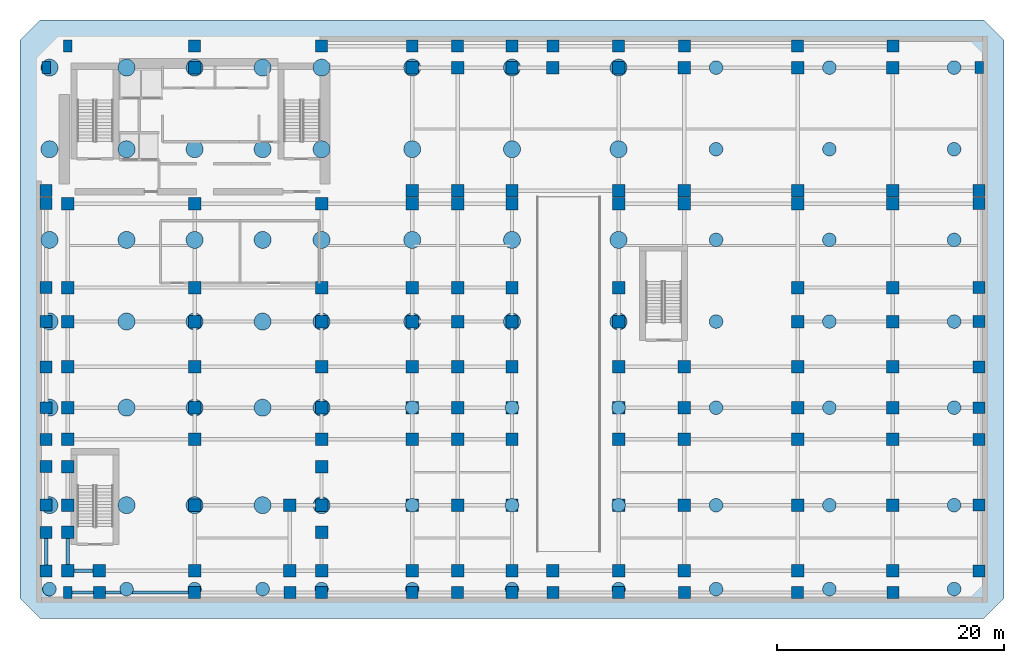
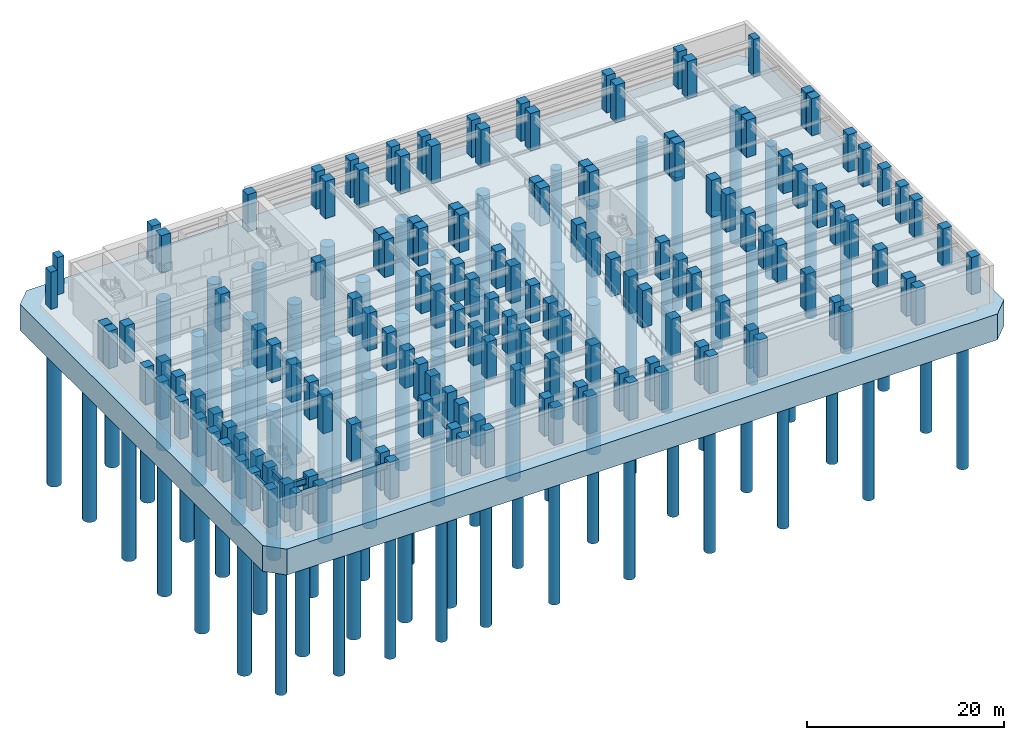
# One storey, part 1 of 13: 148 columns, 77 piles, 5 beams, 1 footing.
"""IFC4 building model written with IfcOpenShell, lengths in metres."""

import ifcopenshell
import ifcopenshell.guid

model = None  # the IFC model being written
_history = None  # IfcOwnerHistory: only IFC2X3 demands one
_inside = {}  # id of a spatial element -> (the spatial element, [elements in it])
_under = {}  # id of a project, library or spatial element -> (it, [spatial elements below it])
_declared = {}  # id of a project -> (the project, [libraries it declares])
_typed = {}  # id of a type object -> (the type object, [elements of that type])
_made_of = {}  # id of a material, layer set ... -> (it, [elements and type objects made of it])


def new_model(schema):
    """Start an empty IFC model of exactly this schema.

    Asked for "IFC4X3", IfcOpenShell would pick the latest addendum, in which some entities
    have other attributes; the version numbers below select the first issue.
    IFC2X3 requires an IfcOwnerHistory on every rooted entity: one is made here for all.
    """
    global model, _history
    if schema == "IFC4X3":
        model = ifcopenshell.file(schema_version=(4, 3, 0, 0))
    else:
        model = ifcopenshell.file(schema=schema)
    _inside.clear()
    _under.clear()
    _declared.clear()
    _typed.clear()
    _made_of.clear()
    _history = None
    if model.schema == "IFC2X3":
        org = make("IfcOrganization", Name="unknown")
        user = make(
            "IfcPersonAndOrganization",
            ThePerson=make("IfcPerson", FamilyName="unknown"),
            TheOrganization=org,
        )
        app = make(
            "IfcApplication",
            ApplicationDeveloper=org,
            Version="unknown",
            ApplicationFullName="unknown",
            ApplicationIdentifier="unknown",
        )
        _history = make(
            "IfcOwnerHistory",
            OwningUser=user,
            OwningApplication=app,
            ChangeAction="ADDED",
            CreationDate=0,
        )
    return model


def make(cls, **values):
    """One entity of the class cls with the attributes given. An attribute that is None is left unset."""
    return model.create_entity(
        cls, **{name: value for name, value in values.items() if value is not None}
    )


def rooted(cls, **values):
    """An entity with a GlobalId (a new one), such as an element, a storey or a relation."""
    return make(cls, GlobalId=ifcopenshell.guid.new(), OwnerHistory=_history, **values)


def si_unit(unit_type, name, prefix=None):
    """IfcSIUnit, for example si_unit("LENGTHUNIT", "METRE", prefix="MILLI")."""
    return make("IfcSIUnit", UnitType=unit_type, Prefix=prefix, Name=name)


def assignment(units):
    """IfcUnitAssignment: the units of a project."""
    return None if units is None else make("IfcUnitAssignment", Units=units)


def point(xyz):
    """IfcCartesianPoint."""
    return None if xyz is None else make("IfcCartesianPoint", Coordinates=xyz)


def direction(xyz):
    """IfcDirection."""
    return None if xyz is None else make("IfcDirection", DirectionRatios=xyz)


def frame(location, z_axis=None, x_axis=None):
    """IfcAxis2Placement3D, a coordinate frame: its origin and axes. An axis left out is left unset."""
    return make(
        "IfcAxis2Placement3D",
        Location=point(location),
        Axis=direction(z_axis),
        RefDirection=direction(x_axis),
    )


def frame_2d(location, x_axis=None):
    """IfcAxis2Placement2D, a coordinate frame in the plane: its origin and x axis."""
    return make(
        "IfcAxis2Placement2D", Location=point(location), RefDirection=direction(x_axis)
    )


def origin():
    """The frame at (0, 0, 0) with its axes left unset."""
    return frame((0.0, 0.0, 0.0))


def origin_2d():
    """The frame at (0, 0) in the plane with its x axis left unset."""
    return frame_2d((0.0, 0.0))


def place(relative_to, where):
    """IfcLocalPlacement: puts the frame where relative to a parent placement (None: the world)."""
    return make(
        "IfcLocalPlacement", PlacementRelTo=relative_to, RelativePlacement=where
    )


def context(
    kind, dimensions, precision=None, world=None, true_north=None, identifier=None
):
    """IfcGeometricRepresentationContext, for example the 3D "Model" context."""
    return make(
        "IfcGeometricRepresentationContext",
        ContextIdentifier=identifier,
        ContextType=kind,
        CoordinateSpaceDimension=dimensions,
        Precision=precision,
        WorldCoordinateSystem=world,
        TrueNorth=true_north,
    )


def subcontext(parent, identifier, kind, view, scale=None):
    """IfcGeometricRepresentationSubContext, for example "Body" below "Model"."""
    return make(
        "IfcGeometricRepresentationSubContext",
        ContextIdentifier=identifier,
        ContextType=kind,
        ParentContext=parent,
        TargetScale=scale,
        TargetView=view,
    )


def project(units=None, contexts=None):
    """IfcProject with its units and contexts."""
    return rooted(
        "IfcProject",
        Name="project",
        RepresentationContexts=contexts,
        UnitsInContext=assignment(units),
    )


def spatial(cls, under=None, at=None, **own):
    """A site, building, storey or space (cls), placed at a placement, below another one or the project."""
    s = rooted(cls, ObjectPlacement=at, **own)
    if under is not None:
        _under.setdefault(under.id(), (under, []))[1].append(s)
    return s


def polyline(points):
    """IfcPolyline through the points."""
    return make("IfcPolyline", Points=[point(p) for p in points])


def profile(cls, at=None, kind="AREA", **sizes):
    """A parametric profile (cls). Its sizes go by their IFC names, for example OverallWidth=200.0."""
    return make(cls, ProfileType=kind, Position=at, **sizes)


def rectangle(**sizes):
    """IfcRectangleProfileDef."""
    return profile("IfcRectangleProfileDef", **sizes)


def circle(**sizes):
    """IfcCircleProfileDef."""
    return profile("IfcCircleProfileDef", **sizes)


def i_section(**sizes):
    """IfcIShapeProfileDef."""
    return profile("IfcIShapeProfileDef", **sizes)


def outline(outer, holes=None, kind="AREA"):
    """IfcArbitraryClosedProfileDef: a profile drawn as a closed curve; with holes, ...WithVoids."""
    if holes is None:
        return make("IfcArbitraryClosedProfileDef", ProfileType=kind, OuterCurve=outer)
    return make(
        "IfcArbitraryProfileDefWithVoids",
        ProfileType=kind,
        OuterCurve=outer,
        InnerCurves=holes,
    )


def extrude(swept, where, along, depth):
    """IfcExtrudedAreaSolid: the profile swept, set in the frame where, extruded along a direction by depth."""
    return make(
        "IfcExtrudedAreaSolid",
        SweptArea=swept,
        Position=where,
        ExtrudedDirection=direction(along),
        Depth=depth,
    )


def shape(context_of_items, identifier, shape_type, items):
    """IfcShapeRepresentation: the items that make up one representation, for example the "Body"."""
    return make(
        "IfcShapeRepresentation",
        ContextOfItems=context_of_items,
        RepresentationIdentifier=identifier,
        RepresentationType=shape_type,
        Items=items,
    )


def material(Name=None, Category=None):
    """IfcMaterial."""
    return make("IfcMaterial", Name=Name, Category=Category)


def layer(
    of_material, thickness, ventilated=None, Name=None, Category=None, Priority=None
):
    """IfcMaterialLayer: one layer of a wall or slab, of a material (None: an air gap)."""
    return make(
        "IfcMaterialLayer",
        Material=of_material,
        LayerThickness=thickness,
        IsVentilated=ventilated,
        Name=Name,
        Category=Category,
        Priority=Priority,
    )


def layer_set(layers, Name=None):
    """IfcMaterialLayerSet."""
    return make("IfcMaterialLayerSet", MaterialLayers=layers, LayerSetName=Name)


def material_profile(
    of_material, cross_section, Name=None, Category=None, Priority=None
):
    """IfcMaterialProfile: a cross section and its material."""
    return make(
        "IfcMaterialProfile",
        Name=Name,
        Material=of_material,
        Profile=cross_section,
        Priority=Priority,
        Category=Category,
    )


def profile_set(profiles, Name=None, composite=None):
    """IfcMaterialProfileSet."""
    return make(
        "IfcMaterialProfileSet",
        Name=Name,
        MaterialProfiles=profiles,
        CompositeProfile=composite,
    )


def made_of(thing, what):
    """Note that an element or type object is made of a material, layer set ...; save() writes the relation."""
    if what is not None:
        _made_of.setdefault(what.id(), (what, []))[1].append(thing)
    return thing


def type_object(cls, material=None, **own):
    """A type object (cls), such as IfcWallType, which elements share."""
    return made_of(rooted(cls, **own), material)


def element(
    cls,
    number,
    at=None,
    inside=None,
    cuts=None,
    type_object=None,
    material=None,
    context=None,
    identifier="Body",
    shape_type=None,
    held_by="IfcProductDefinitionShape",
    body=None,
    shapes=None,
    **own,
):
    """One element of the class cls, such as IfcWall. Its Tag is "e" and its number.

    at: its placement. inside: the storey or other place that contains it. cuts: it is an
    opening in that element (IfcRelVoidsElement). A single representation is given by context,
    identifier, shape_type and body (its items); several are given by shapes. held_by: the class
    of the entity that holds the representations. save() writes the other relations.
    """
    e = rooted(cls, Tag="e%d" % number, ObjectPlacement=at, **own)
    if body is not None:
        shapes = [shape(context, identifier, shape_type, body)]
    if shapes is not None:
        e.Representation = make(held_by, Representations=shapes)
    if inside is not None:
        _inside.setdefault(inside.id(), (inside, []))[1].append(e)
    if cuts is not None:
        rooted(
            "IfcRelVoidsElement", RelatingBuildingElement=cuts, RelatedOpeningElement=e
        )
    if type_object is not None:
        _typed.setdefault(type_object.id(), (type_object, []))[1].append(e)
    return made_of(e, material)


def aggregate(whole, parts):
    """IfcRelAggregates: a whole, such as a stair, and the parts it consists of."""
    return rooted("IfcRelAggregates", RelatingObject=whole, RelatedObjects=parts)


def save(model, path):
    """Write the relations noted so far, then the file.

    IfcRelAggregates (storeys below a building ...), IfcRelContainedInSpatialStructure (elements
    in a storey), IfcRelDefinesByType, IfcRelAssociatesMaterial and IfcRelDeclares: one each for
    every whole, place, type object, material and project.
    """
    for whole, parts in _under.values():
        aggregate(whole, parts)
    for where, things in _inside.values():
        rooted(
            "IfcRelContainedInSpatialStructure",
            RelatedElements=things,
            RelatingStructure=where,
        )
    for kind, things in _typed.values():
        rooted("IfcRelDefinesByType", RelatedObjects=things, RelatingType=kind)
    for what, things in _made_of.values():
        rooted("IfcRelAssociatesMaterial", RelatedObjects=things, RelatingMaterial=what)
    for by, libraries in _declared.values():
        rooted("IfcRelDeclares", RelatingContext=by, RelatedDefinitions=libraries)
    model.write(path)


model = new_model("IFC4")

# Units and contexts
model_context = context("Model", 3, precision=1e-05, world=origin(), true_north=direction((0.0, 1.0)))
body_context = subcontext(model_context, "Body", "Model", "MODEL_VIEW")
ifc_project = project(units=[si_unit("LENGTHUNIT", "METRE"), si_unit("AREAUNIT", "SQUARE_METRE"), si_unit("VOLUMEUNIT", "CUBIC_METRE"), si_unit("PLANEANGLEUNIT", "RADIAN"), si_unit("MASSUNIT", "GRAM", prefix="KILO")], contexts=[model_context])

# Site, building, storey
site_placement = place(None, origin())
site = spatial("IfcSite", under=ifc_project, at=site_placement, CompositionType="ELEMENT")
building_placement = place(site_placement, origin())
building = spatial("IfcBuilding", under=site, at=building_placement, Name="Kefirva Bronze Tower", CompositionType="ELEMENT")
storey_placement = place(building_placement, frame((0.0, 0.0, -9.239990234375)))
storey = spatial("IfcBuildingStorey", under=building, at=storey_placement, Name="B2", CompositionType="ELEMENT", Elevation=-9.239990234375)

# Piles
ifc_material_1 = material(Name="Concrete C45/55", Category="concrete")
ifc_material_profile_1 = material_profile(ifc_material_1, circle(Radius=0.60009765625, at=origin_2d()), Name="BORED PILE D1200")
ifc_profile_set_1 = profile_set([ifc_material_profile_1], Name="Concrete C45/55")
pile_type_1 = type_object("IfcPileType", Name="Bored Rock-Socketed Pile D1200", PredefinedType="BORED", material=ifc_profile_set_1)
for number, where, z_axis, x_axis, name in (
    (1, (-0.800048828125, -0.800048828125, -3.5), (0.0, 0.0, -1.0), (1.0, 0.0, 0.0), "Bored Pile P001"),
    (2, (6.0, -0.800048828125, -3.5), (0.0, 0.0, -1.0), (1.0, 0.0, 0.0), "Bored Pile P008"),
    (3, (12.0, -0.800048828125, -3.5), (0.0, 0.0, -1.0), (1.0, 0.0, 0.0), "Bored Pile P015"),
    (4, (18.0, -0.800048828125, -3.5), (0.0, 0.0, -1.0), (1.0, 0.0, 0.0), "Bored Pile P022"),
    (5, (23.199951171875, -0.800048828125, -3.5), (0.0, 0.0, -1.0), (1.0, 0.0, 0.0), "Bored Pile P029"),
    (6, (31.199951171875, -0.800048828125, -3.5), (0.0, 0.0, -1.0), (1.0, 0.0, 0.0), "Bored Pile P036"),
    (7, (31.199951171875, 6.60009765625, -3.5), (0.0, 0.0, -1.0), (1.0, 0.0, 0.0), "Bored Pile P037"),
    (8, (31.199951171875, 15.199951171875, -3.5), (0.0, 0.0, -1.0), (1.0, 0.0, 0.0), "Bored Pile P038"),
    (9, (40.0, -0.800048828125, -3.5), (0.0, 0.0, -1.0), (1.0, 0.0, 0.0), "Bored Pile P043"),
    (10, (40.0, 6.60009765625, -3.5), (0.0, 0.0, -1.0), (1.0, 0.0, 0.0), "Bored Pile P044"),
    (11, (40.0, 15.199951171875, -3.5), (0.0, 0.0, -1.0), (1.0, 0.0, 0.0), "Bored Pile P045"),
    (12, (49.39990234375, -0.800048828125, -3.5), (0.0, 0.0, -1.0), (1.0, 0.0, 0.0), "Bored Pile P050"),
    (13, (49.39990234375, 6.60009765625, -3.5), (0.0, 0.0, -1.0), (1.0, 0.0, 0.0), "Bored Pile P051"),
    (14, (49.39990234375, 15.199951171875, -3.5), (0.0, 0.0, -1.0), (1.0, 0.0, 0.0), "Bored Pile P052"),
    (15, (58.0, -0.800048828125, -3.5), (0.0, 0.0, -1.0), (1.0, 0.0, 0.0), "Bored Pile P057"),
    (16, (58.0, 6.60009765625, -3.5), (0.0, 0.0, -1.0), (1.0, 0.0, 0.0), "Bored Pile P058"),
    (17, (58.0, 15.199951171875, -3.5), (0.0, 0.0, -1.0), (1.0, 0.0, 0.0), "Bored Pile P059"),
    (18, (58.0, 22.800048828125, -3.5), (0.0, 0.0, -1.0), (1.0, 0.0, 0.0), "Bored Pile P060"),
    (19, (58.0, 30.0, -3.5), (0.0, 0.0, -1.0), (1.0, 0.0, 0.0), "Bored Pile P061"),
    (20, (58.0, 38.0, -3.5), (0.0, 0.0, -1.0), (1.0, 0.0, 0.0), "Bored Pile P062"),
    (21, (58.0, 45.199951171875, -3.5), (0.0, 0.0, -1.0), (1.0, 0.0, 0.0), "Bored Pile P063"),
    (22, (68.0, -0.800048828125, -3.5), (0.0, 0.0, -1.0), (1.0, 0.0, 0.0), "Bored Pile P064"),
    (23, (68.0, 6.60009765625, -3.5), (0.0, 0.0, -1.0), (1.0, 0.0, 0.0), "Bored Pile P065"),
    (24, (68.0, 15.199951171875, -3.5), (0.0, 0.0, -1.0), (1.0, 0.0, 0.0), "Bored Pile P066"),
    (25, (68.0, 22.800048828125, -3.5), (0.0, 0.0, -1.0), (1.0, 0.0, 0.0), "Bored Pile P067"),
    (26, (68.0, 30.0, -3.5), (0.0, 0.0, -1.0), (1.0, 0.0, 0.0), "Bored Pile P068"),
    (27, (68.0, 38.0, -3.5), (0.0, 0.0, -1.0), (1.0, 0.0, 0.0), "Bored Pile P069"),
    (28, (68.0, 45.199951171875, -3.5), (0.0, 0.0, -1.0), (1.0, 0.0, 0.0), "Bored Pile P070"),
    (29, (79.0, -0.800048828125, -3.5), (0.0, 0.0, -1.0), (1.0, 0.0, 0.0), "Bored Pile P071"),
    (30, (79.0, 6.60009765625, -3.5), (0.0, 0.0, -1.0), (1.0, 0.0, 0.0), "Bored Pile P072"),
    (31, (79.0, 15.199951171875, -3.5), (0.0, 0.0, -1.0), (1.0, 0.0, 0.0), "Bored Pile P073"),
    (32, (79.0, 22.800048828125, -3.5), (0.0, 0.0, -1.0), (1.0, 0.0, 0.0), "Bored Pile P074"),
    (33, (79.0, 30.0, -3.5), (0.0, 0.0, -1.0), (1.0, 0.0, 0.0), "Bored Pile P075"),
    (34, (79.0, 38.0, -3.5), (0.0, 0.0, -1.0), (1.0, 0.0, 0.0), "Bored Pile P076"),
    (35, (79.0, 45.199951171875, -3.5), (0.0, 0.0, -1.0), (1.0, 0.0, 0.0), "Bored Pile P077"),
):
    element("IfcPile", number, at=place(storey_placement, frame(where, z_axis=z_axis, x_axis=x_axis)), inside=storey, type_object=pile_type_1, Name=name, PredefinedType="BORED", context=body_context, shape_type="SweptSolid", body=[
        extrude(circle(Radius=0.60009765625, at=origin_2d()), origin(), (0.0, 0.0, 1.0), 16.5),
    ])
ifc_material_profile_2 = material_profile(ifc_material_1, circle(Radius=0.75, at=origin_2d()), Name="BORED PILE D1500")
ifc_profile_set_2 = profile_set([ifc_material_profile_2], Name="Concrete C45/55")
pile_type_2 = type_object("IfcPileType", Name="Bored Rock-Socketed Pile D1500", PredefinedType="BORED", material=ifc_profile_set_2)
for number, where, z_axis, x_axis, name in (
    (36, (-0.800048828125, 6.60009765625, -3.5), (0.0, 0.0, -1.0), (1.0, 0.0, 0.0), "Bored Pile P002"),
    (37, (-0.800048828125, 15.199951171875, -3.5), (0.0, 0.0, -1.0), (1.0, 0.0, 0.0), "Bored Pile P003"),
    (38, (-0.800048828125, 22.800048828125, -3.5), (0.0, 0.0, -1.0), (1.0, 0.0, 0.0), "Bored Pile P004"),
    (39, (-0.800048828125, 30.0, -3.5), (0.0, 0.0, -1.0), (1.0, 0.0, 0.0), "Bored Pile P005"),
    (40, (-0.800048828125, 38.0, -3.5), (0.0, 0.0, -1.0), (1.0, 0.0, 0.0), "Bored Pile P006"),
    (41, (-0.800048828125, 45.199951171875, -3.5), (0.0, 0.0, -1.0), (1.0, 0.0, 0.0), "Bored Pile P007"),
    (42, (6.0, 6.60009765625, -3.5), (0.0, 0.0, -1.0), (1.0, 0.0, 0.0), "Bored Pile P009"),
    (43, (6.0, 15.199951171875, -3.5), (0.0, 0.0, -1.0), (1.0, 0.0, 0.0), "Bored Pile P010"),
    (44, (6.0, 22.800048828125, -3.5), (0.0, 0.0, -1.0), (1.0, 0.0, 0.0), "Bored Pile P011"),
    (45, (6.0, 30.0, -3.5), (0.0, 0.0, -1.0), (1.0, 0.0, 0.0), "Bored Pile P012"),
    (46, (6.0, 38.0, -3.5), (0.0, 0.0, -1.0), (1.0, 0.0, 0.0), "Bored Pile P013"),
    (47, (6.0, 45.199951171875, -3.5), (0.0, 0.0, -1.0), (1.0, 0.0, 0.0), "Bored Pile P014"),
    (48, (12.0, 6.60009765625, -3.5), (0.0, 0.0, -1.0), (1.0, 0.0, 0.0), "Bored Pile P016"),
    (49, (12.0, 15.199951171875, -3.5), (0.0, 0.0, -1.0), (1.0, 0.0, 0.0), "Bored Pile P017"),
    (50, (12.0, 22.800048828125, -3.5), (0.0, 0.0, -1.0), (1.0, 0.0, 0.0), "Bored Pile P018"),
    (51, (12.0, 30.0, -3.5), (0.0, 0.0, -1.0), (1.0, 0.0, 0.0), "Bored Pile P019"),
    (52, (12.0, 38.0, -3.5), (0.0, 0.0, -1.0), (1.0, 0.0, 0.0), "Bored Pile P020"),
    (53, (12.0, 45.199951171875, -3.5), (0.0, 0.0, -1.0), (1.0, 0.0, 0.0), "Bored Pile P021"),
    (54, (18.0, 6.60009765625, -3.5), (0.0, 0.0, -1.0), (1.0, 0.0, 0.0), "Bored Pile P023"),
    (55, (18.0, 15.199951171875, -3.5), (0.0, 0.0, -1.0), (1.0, 0.0, 0.0), "Bored Pile P024"),
    (56, (18.0, 22.800048828125, -3.5), (0.0, 0.0, -1.0), (1.0, 0.0, 0.0), "Bored Pile P025"),
    (57, (18.0, 30.0, -3.5), (0.0, 0.0, -1.0), (1.0, 0.0, 0.0), "Bored Pile P026"),
    (58, (18.0, 38.0, -3.5), (0.0, 0.0, -1.0), (1.0, 0.0, 0.0), "Bored Pile P027"),
    (59, (18.0, 45.199951171875, -3.5), (0.0, 0.0, -1.0), (1.0, 0.0, 0.0), "Bored Pile P028"),
    (60, (23.199951171875, 6.60009765625, -3.5), (0.0, 0.0, -1.0), (1.0, 0.0, 0.0), "Bored Pile P030"),
    (61, (23.199951171875, 15.199951171875, -3.5), (0.0, 0.0, -1.0), (1.0, 0.0, 0.0), "Bored Pile P031"),
    (62, (23.199951171875, 22.800048828125, -3.5), (0.0, 0.0, -1.0), (1.0, 0.0, 0.0), "Bored Pile P032"),
    (63, (23.199951171875, 30.0, -3.5), (0.0, 0.0, -1.0), (1.0, 0.0, 0.0), "Bored Pile P033"),
    (64, (23.199951171875, 38.0, -3.5), (0.0, 0.0, -1.0), (1.0, 0.0, 0.0), "Bored Pile P034"),
    (65, (23.199951171875, 45.199951171875, -3.5), (0.0, 0.0, -1.0), (1.0, 0.0, 0.0), "Bored Pile P035"),
    (66, (31.199951171875, 22.800048828125, -3.5), (0.0, 0.0, -1.0), (1.0, 0.0, 0.0), "Bored Pile P039"),
    (67, (31.199951171875, 30.0, -3.5), (0.0, 0.0, -1.0), (1.0, 0.0, 0.0), "Bored Pile P040"),
    (68, (31.199951171875, 38.0, -3.5), (0.0, 0.0, -1.0), (1.0, 0.0, 0.0), "Bored Pile P041"),
    (69, (31.199951171875, 45.199951171875, -3.5), (0.0, 0.0, -1.0), (1.0, 0.0, 0.0), "Bored Pile P042"),
    (70, (40.0, 22.800048828125, -3.5), (0.0, 0.0, -1.0), (1.0, 0.0, 0.0), "Bored Pile P046"),
    (71, (40.0, 30.0, -3.5), (0.0, 0.0, -1.0), (1.0, 0.0, 0.0), "Bored Pile P047"),
    (72, (40.0, 38.0, -3.5), (0.0, 0.0, -1.0), (1.0, 0.0, 0.0), "Bored Pile P048"),
    (73, (40.0, 45.199951171875, -3.5), (0.0, 0.0, -1.0), (1.0, 0.0, 0.0), "Bored Pile P049"),
    (74, (49.39990234375, 22.800048828125, -3.5), (0.0, 0.0, -1.0), (1.0, 0.0, 0.0), "Bored Pile P053"),
    (75, (49.39990234375, 30.0, -3.5), (0.0, 0.0, -1.0), (1.0, 0.0, 0.0), "Bored Pile P054"),
    (76, (49.39990234375, 38.0, -3.5), (0.0, 0.0, -1.0), (1.0, 0.0, 0.0), "Bored Pile P055"),
    (77, (49.39990234375, 45.199951171875, -3.5), (0.0, 0.0, -1.0), (1.0, 0.0, 0.0), "Bored Pile P056"),
):
    element("IfcPile", number, at=place(storey_placement, frame(where, z_axis=z_axis, x_axis=x_axis)), inside=storey, type_object=pile_type_2, Name=name, PredefinedType="BORED", context=body_context, shape_type="SweptSolid", body=[
        extrude(circle(Radius=0.75, at=origin_2d()), origin(), (0.0, 0.0, 1.0), 18.5),
    ])

# Footing
ifc_material_2 = material(Name="Concrete C50/60", Category="concrete")
ifc_layer = layer(ifc_material_2, 3.199951171875, Name="Concrete C50/60")
ifc_layer_set = layer_set([ifc_layer], Name="Concrete C50/60")
footing_type = type_object("IfcFootingType", Name="RC Piled Raft Foundation 3200mm", PredefinedType="CAISSON_FOUNDATION", material=ifc_layer_set)
footing_placement = place(storey_placement, frame((0.0, 0.0, -3.64990234375)))
element("IfcFooting", 78, at=footing_placement, inside=storey, type_object=footing_type, Name="B2 Combined Piled Raft Foundation", PredefinedType="CAISSON_FOUNDATION", context=body_context, shape_type="SweptSolid", body=[
    extrude(outline(polyline([(-3.39990234375, -1.60009765625), (-1.60009765625, -3.39990234375), (81.60009765625, -3.39990234375), (83.39990234375, -1.60009765625), (83.39990234375, 47.60009765625), (81.60009765625, 49.39990234375), (-1.60009765625, 49.39990234375), (-3.39990234375, 47.60009765625), (-3.39990234375, -1.60009765625)])), origin(), (0.0, 0.0, 1.0), 3.199951171875),
])

# Columns
ifc_material_3 = material(Name="Concrete C60/75", Category="concrete")
ifc_material_profile_3 = material_profile(ifc_material_3, rectangle(XDim=1.050048828125, YDim=1.050048828125, at=origin_2d()), Name="RC 1050x1050")
ifc_profile_set_3 = profile_set([ifc_material_profile_3], Name="Concrete C60/75")
column_type_1 = type_object("IfcColumnType", Name="RC Column 1050x1050 Ext", PredefinedType="COLUMN", material=ifc_profile_set_3)
for number, where, z_axis, x_axis, name in (
    (79, (-1.10009765625, 0.800048828125, 0.0), (0.0, 0.0, 1.0), (1.0, 0.0, 0.0), "B2 Column C-11_008"),
    (80, (-1.10009765625, 4.199951171875, 0.0), (0.0, 0.0, 1.0), (1.0, 0.0, 0.0), "B2 Column C-11_042"),
    (81, (-1.10009765625, 6.60009765625, 0.0), (0.0, 0.0, 1.0), (1.0, 0.0, 0.0), "B2 Column C-11_066"),
    (82, (-1.10009765625, 10.0, 0.0), (0.0, 0.0, 1.0), (1.0, 0.0, 0.0), "B2 Column C-11_100"),
    (83, (-1.10009765625, 12.39990234375, 0.0), (0.0, 0.0, 1.0), (1.0, 0.0, 0.0), "B2 Column C-11_124"),
    (84, (-1.10009765625, 15.199951171875, 0.0), (0.0, 0.0, 1.0), (1.0, 0.0, 0.0), "B2 Column C-11_152"),
    (85, (-1.10009765625, 18.800048828125, 0.0), (0.0, 0.0, 1.0), (1.0, 0.0, 0.0), "B2 Column C-11_188"),
    (86, (-1.10009765625, 22.800048828125, 0.0), (0.0, 0.0, 1.0), (1.0, 0.0, 0.0), "B2 Column C-11_228"),
    (87, (-1.10009765625, 25.800048828125, 0.0), (0.0, 0.0, 1.0), (1.0, 0.0, 0.0), "B2 Column C-11_258"),
    (88, (-1.10009765625, 33.199951171875, 0.0), (0.0, 0.0, 1.0), (1.0, 0.0, 0.0), "B2 Column C-11_332"),
    (89, (-1.10009765625, 34.35009765625, 0.0), (0.0, 0.0, 1.0), (1.0, 0.0, 0.0), "B2 Column C-11_344"),
    (90, (3.60009765625, -1.10009765625, 0.0), (0.0, 0.0, 1.0), (1.0, 0.0, 0.0), "B2 Column C036_-11"),
    (91, (12.0, -1.10009765625, 0.0), (0.0, 0.0, 1.0), (1.0, 0.0, 0.0), "B2 Column C120_-11"),
    (92, (12.0, 47.10009765625, 0.0), (0.0, 0.0, 1.0), (1.0, 0.0, 0.0), "B2 Column C120_471"),
    (93, (20.39990234375, -1.10009765625, 0.0), (0.0, 0.0, 1.0), (1.0, 0.0, 0.0), "B2 Column C204_-11"),
    (94, (23.199951171875, -1.10009765625, 0.0), (0.0, 0.0, 1.0), (1.0, 0.0, 0.0), "B2 Column C232_-11"),
    (95, (23.199951171875, 47.10009765625, 0.0), (0.0, 0.0, 1.0), (1.0, 0.0, 0.0), "B2 Column C232_471"),
    (96, (31.199951171875, -1.10009765625, 0.0), (0.0, 0.0, 1.0), (1.0, 0.0, 0.0), "B2 Column C312_-11"),
    (97, (31.199951171875, 47.10009765625, 0.0), (0.0, 0.0, 1.0), (1.0, 0.0, 0.0), "B2 Column C312_471"),
    (98, (35.199951171875, -1.10009765625, 0.0), (0.0, 0.0, 1.0), (1.0, 0.0, 0.0), "B2 Column C352_-11"),
    (99, (35.199951171875, 47.10009765625, 0.0), (0.0, 0.0, 1.0), (1.0, 0.0, 0.0), "B2 Column C352_471"),
    (100, (40.0, -1.10009765625, 0.0), (0.0, 0.0, 1.0), (1.0, 0.0, 0.0), "B2 Column C400_-11"),
    (101, (40.0, 47.10009765625, 0.0), (0.0, 0.0, 1.0), (1.0, 0.0, 0.0), "B2 Column C400_471"),
    (102, (43.60009765625, -1.10009765625, 0.0), (0.0, 0.0, 1.0), (1.0, 0.0, 0.0), "B2 Column C436_-11"),
    (103, (43.60009765625, 47.10009765625, 0.0), (0.0, 0.0, 1.0), (1.0, 0.0, 0.0), "B2 Column C436_471"),
    (104, (49.39990234375, -1.10009765625, 0.0), (0.0, 0.0, 1.0), (1.0, 0.0, 0.0), "B2 Column C494_-11"),
    (105, (49.39990234375, 47.10009765625, 0.0), (0.0, 0.0, 1.0), (1.0, 0.0, 0.0), "B2 Column C494_471"),
    (106, (55.199951171875, -1.10009765625, 0.0), (0.0, 0.0, 1.0), (1.0, 0.0, 0.0), "B2 Column C552_-11"),
    (107, (55.199951171875, 47.10009765625, 0.0), (0.0, 0.0, 1.0), (1.0, 0.0, 0.0), "B2 Column C552_471"),
    (108, (65.199951171875, -1.10009765625, 0.0), (0.0, 0.0, 1.0), (1.0, 0.0, 0.0), "B2 Column C652_-11"),
    (109, (65.199951171875, 47.10009765625, 0.0), (0.0, 0.0, 1.0), (1.0, 0.0, 0.0), "B2 Column C652_471"),
    (110, (73.60009765625, -1.10009765625, 0.0), (0.0, 0.0, 1.0), (1.0, 0.0, 0.0), "B2 Column C736_-11"),
    (111, (73.60009765625, 47.10009765625, 0.0), (0.0, 0.0, 1.0), (1.0, 0.0, 0.0), "B2 Column C736_471"),
    (112, (81.199951171875, 0.800048828125, 0.0), (0.0, 0.0, 1.0), (1.0, 0.0, 0.0), "B2 Column C812_008"),
    (113, (81.199951171875, 6.60009765625, 0.0), (0.0, 0.0, 1.0), (1.0, 0.0, 0.0), "B2 Column C812_066"),
    (114, (81.199951171875, 12.39990234375, 0.0), (0.0, 0.0, 1.0), (1.0, 0.0, 0.0), "B2 Column C812_124"),
    (115, (81.199951171875, 15.199951171875, 0.0), (0.0, 0.0, 1.0), (1.0, 0.0, 0.0), "B2 Column C812_152"),
    (116, (81.199951171875, 18.800048828125, 0.0), (0.0, 0.0, 1.0), (1.0, 0.0, 0.0), "B2 Column C812_188"),
    (117, (81.199951171875, 22.800048828125, 0.0), (0.0, 0.0, 1.0), (1.0, 0.0, 0.0), "B2 Column C812_228"),
    (118, (81.199951171875, 25.800048828125, 0.0), (0.0, 0.0, 1.0), (1.0, 0.0, 0.0), "B2 Column C812_258"),
    (119, (81.199951171875, 33.199951171875, 0.0), (0.0, 0.0, 1.0), (1.0, 0.0, 0.0), "B2 Column C812_332"),
    (120, (81.199951171875, 34.35009765625, 0.0), (0.0, 0.0, 1.0), (1.0, 0.0, 0.0), "B2 Column C812_344"),
):
    element("IfcColumn", number, at=place(storey_placement, frame(where, z_axis=z_axis, x_axis=x_axis)), inside=storey, type_object=column_type_1, Name=name, PredefinedType="COLUMN", context=body_context, shape_type="SweptSolid", body=[
        extrude(rectangle(XDim=1.050048828125, YDim=1.050048828125, at=origin_2d()), origin(), (0.0, 0.0, 1.0), 4.619873046875),
    ])
ifc_material_profile_4 = material_profile(ifc_material_3, rectangle(XDim=1.10009765625, YDim=1.10009765625, at=origin_2d()), Name="RC 1100x1100")
ifc_profile_set_4 = profile_set([ifc_material_profile_4], Name="Concrete C60/75")
column_type_2 = type_object("IfcColumnType", Name="RC Column 1100x1100 Int", PredefinedType="COLUMN", material=ifc_profile_set_4)
for number, where, z_axis, x_axis, name in (
    (121, (0.800048828125, 0.800048828125, 0.0), (0.0, 0.0, 1.0), (1.0, 0.0, 0.0), "B2 Column C008_008"),
    (122, (0.800048828125, 4.199951171875, 0.0), (0.0, 0.0, 1.0), (1.0, 0.0, 0.0), "B2 Column C008_042"),
    (123, (0.800048828125, 6.60009765625, 0.0), (0.0, 0.0, 1.0), (1.0, 0.0, 0.0), "B2 Column C008_066"),
    (124, (0.800048828125, 10.0, 0.0), (0.0, 0.0, 1.0), (1.0, 0.0, 0.0), "B2 Column C008_100"),
    (125, (0.800048828125, 12.39990234375, 0.0), (0.0, 0.0, 1.0), (1.0, 0.0, 0.0), "B2 Column C008_124"),
    (126, (0.800048828125, 15.199951171875, 0.0), (0.0, 0.0, 1.0), (1.0, 0.0, 0.0), "B2 Column C008_152"),
    (127, (0.800048828125, 18.800048828125, 0.0), (0.0, 0.0, 1.0), (1.0, 0.0, 0.0), "B2 Column C008_188"),
    (128, (0.800048828125, 22.800048828125, 0.0), (0.0, 0.0, 1.0), (1.0, 0.0, 0.0), "B2 Column C008_228"),
    (129, (0.800048828125, 25.800048828125, 0.0), (0.0, 0.0, 1.0), (1.0, 0.0, 0.0), "B2 Column C008_258"),
    (130, (0.800048828125, 33.199951171875, 0.0), (0.0, 0.0, 1.0), (1.0, 0.0, 0.0), "B2 Column C008_332"),
    (131, (3.60009765625, 0.800048828125, 0.0), (0.0, 0.0, 1.0), (1.0, 0.0, 0.0), "B2 Column C036_008"),
    (132, (12.0, 0.800048828125, 0.0), (0.0, 0.0, 1.0), (1.0, 0.0, 0.0), "B2 Column C120_008"),
    (133, (12.0, 6.60009765625, 0.0), (0.0, 0.0, 1.0), (1.0, 0.0, 0.0), "B2 Column C120_066"),
    (134, (12.0, 12.39990234375, 0.0), (0.0, 0.0, 1.0), (1.0, 0.0, 0.0), "B2 Column C120_124"),
    (135, (12.0, 15.199951171875, 0.0), (0.0, 0.0, 1.0), (1.0, 0.0, 0.0), "B2 Column C120_152"),
    (136, (12.0, 18.800048828125, 0.0), (0.0, 0.0, 1.0), (1.0, 0.0, 0.0), "B2 Column C120_188"),
    (137, (12.0, 22.800048828125, 0.0), (0.0, 0.0, 1.0), (1.0, 0.0, 0.0), "B2 Column C120_228"),
    (138, (12.0, 25.800048828125, 0.0), (0.0, 0.0, 1.0), (1.0, 0.0, 0.0), "B2 Column C120_258"),
    (139, (12.0, 33.199951171875, 0.0), (0.0, 0.0, 1.0), (1.0, 0.0, 0.0), "B2 Column C120_332"),
    (140, (12.0, 45.199951171875, 0.0), (0.0, 0.0, 1.0), (1.0, 0.0, 0.0), "B2 Column C120_452"),
    (141, (20.39990234375, 0.800048828125, 0.0), (0.0, 0.0, 1.0), (1.0, 0.0, 0.0), "B2 Column C204_008"),
    (142, (20.39990234375, 6.60009765625, 0.0), (0.0, 0.0, 1.0), (1.0, 0.0, 0.0), "B2 Column C204_066"),
    (143, (23.199951171875, 0.800048828125, 0.0), (0.0, 0.0, 1.0), (1.0, 0.0, 0.0), "B2 Column C232_008"),
    (144, (23.199951171875, 4.199951171875, 0.0), (0.0, 0.0, 1.0), (1.0, 0.0, 0.0), "B2 Column C232_042"),
    (145, (23.199951171875, 6.60009765625, 0.0), (0.0, 0.0, 1.0), (1.0, 0.0, 0.0), "B2 Column C232_066"),
    (146, (23.199951171875, 10.0, 0.0), (0.0, 0.0, 1.0), (1.0, 0.0, 0.0), "B2 Column C232_100"),
    (147, (23.199951171875, 12.39990234375, 0.0), (0.0, 0.0, 1.0), (1.0, 0.0, 0.0), "B2 Column C232_124"),
    (148, (23.199951171875, 15.199951171875, 0.0), (0.0, 0.0, 1.0), (1.0, 0.0, 0.0), "B2 Column C232_152"),
    (149, (23.199951171875, 18.800048828125, 0.0), (0.0, 0.0, 1.0), (1.0, 0.0, 0.0), "B2 Column C232_188"),
    (150, (23.199951171875, 22.800048828125, 0.0), (0.0, 0.0, 1.0), (1.0, 0.0, 0.0), "B2 Column C232_228"),
    (151, (23.199951171875, 25.800048828125, 0.0), (0.0, 0.0, 1.0), (1.0, 0.0, 0.0), "B2 Column C232_258"),
    (152, (23.199951171875, 33.199951171875, 0.0), (0.0, 0.0, 1.0), (1.0, 0.0, 0.0), "B2 Column C232_332"),
    (153, (31.199951171875, 0.800048828125, 0.0), (0.0, 0.0, 1.0), (1.0, 0.0, 0.0), "B2 Column C312_008"),
    (154, (31.199951171875, 6.60009765625, 0.0), (0.0, 0.0, 1.0), (1.0, 0.0, 0.0), "B2 Column C312_066"),
    (155, (31.199951171875, 12.39990234375, 0.0), (0.0, 0.0, 1.0), (1.0, 0.0, 0.0), "B2 Column C312_124"),
    (156, (31.199951171875, 15.199951171875, 0.0), (0.0, 0.0, 1.0), (1.0, 0.0, 0.0), "B2 Column C312_152"),
    (157, (31.199951171875, 18.800048828125, 0.0), (0.0, 0.0, 1.0), (1.0, 0.0, 0.0), "B2 Column C312_188"),
    (158, (31.199951171875, 22.800048828125, 0.0), (0.0, 0.0, 1.0), (1.0, 0.0, 0.0), "B2 Column C312_228"),
    (159, (31.199951171875, 25.800048828125, 0.0), (0.0, 0.0, 1.0), (1.0, 0.0, 0.0), "B2 Column C312_258"),
    (160, (31.199951171875, 33.199951171875, 0.0), (0.0, 0.0, 1.0), (1.0, 0.0, 0.0), "B2 Column C312_332"),
    (161, (31.199951171875, 34.35009765625, 0.0), (0.0, 0.0, 1.0), (1.0, 0.0, 0.0), "B2 Column C312_344"),
    (162, (31.199951171875, 45.199951171875, 0.0), (0.0, 0.0, 1.0), (1.0, 0.0, 0.0), "B2 Column C312_452"),
    (163, (35.199951171875, 0.800048828125, 0.0), (0.0, 0.0, 1.0), (1.0, 0.0, 0.0), "B2 Column C352_008"),
    (164, (35.199951171875, 6.60009765625, 0.0), (0.0, 0.0, 1.0), (1.0, 0.0, 0.0), "B2 Column C352_066"),
    (165, (35.199951171875, 12.39990234375, 0.0), (0.0, 0.0, 1.0), (1.0, 0.0, 0.0), "B2 Column C352_124"),
    (166, (35.199951171875, 15.199951171875, 0.0), (0.0, 0.0, 1.0), (1.0, 0.0, 0.0), "B2 Column C352_152"),
    (167, (35.199951171875, 18.800048828125, 0.0), (0.0, 0.0, 1.0), (1.0, 0.0, 0.0), "B2 Column C352_188"),
    (168, (35.199951171875, 22.800048828125, 0.0), (0.0, 0.0, 1.0), (1.0, 0.0, 0.0), "B2 Column C352_228"),
    (169, (35.199951171875, 25.800048828125, 0.0), (0.0, 0.0, 1.0), (1.0, 0.0, 0.0), "B2 Column C352_258"),
    (170, (35.199951171875, 33.199951171875, 0.0), (0.0, 0.0, 1.0), (1.0, 0.0, 0.0), "B2 Column C352_332"),
    (171, (35.199951171875, 34.35009765625, 0.0), (0.0, 0.0, 1.0), (1.0, 0.0, 0.0), "B2 Column C352_344"),
    (172, (35.199951171875, 45.199951171875, 0.0), (0.0, 0.0, 1.0), (1.0, 0.0, 0.0), "B2 Column C352_452"),
    (173, (40.0, 0.800048828125, 0.0), (0.0, 0.0, 1.0), (1.0, 0.0, 0.0), "B2 Column C400_008"),
    (174, (40.0, 6.60009765625, 0.0), (0.0, 0.0, 1.0), (1.0, 0.0, 0.0), "B2 Column C400_066"),
    (175, (40.0, 12.39990234375, 0.0), (0.0, 0.0, 1.0), (1.0, 0.0, 0.0), "B2 Column C400_124"),
    (176, (40.0, 15.199951171875, 0.0), (0.0, 0.0, 1.0), (1.0, 0.0, 0.0), "B2 Column C400_152"),
    (177, (40.0, 18.800048828125, 0.0), (0.0, 0.0, 1.0), (1.0, 0.0, 0.0), "B2 Column C400_188"),
    (178, (40.0, 22.800048828125, 0.0), (0.0, 0.0, 1.0), (1.0, 0.0, 0.0), "B2 Column C400_228"),
    (179, (40.0, 25.800048828125, 0.0), (0.0, 0.0, 1.0), (1.0, 0.0, 0.0), "B2 Column C400_258"),
    (180, (40.0, 33.199951171875, 0.0), (0.0, 0.0, 1.0), (1.0, 0.0, 0.0), "B2 Column C400_332"),
    (181, (40.0, 34.35009765625, 0.0), (0.0, 0.0, 1.0), (1.0, 0.0, 0.0), "B2 Column C400_344"),
    (182, (40.0, 45.199951171875, 0.0), (0.0, 0.0, 1.0), (1.0, 0.0, 0.0), "B2 Column C400_452"),
    (183, (43.60009765625, 0.800048828125, 0.0), (0.0, 0.0, 1.0), (1.0, 0.0, 0.0), "B2 Column C436_008"),
    (184, (43.60009765625, 45.199951171875, 0.0), (0.0, 0.0, 1.0), (1.0, 0.0, 0.0), "B2 Column C436_452"),
    (185, (49.39990234375, 0.800048828125, 0.0), (0.0, 0.0, 1.0), (1.0, 0.0, 0.0), "B2 Column C494_008"),
    (186, (49.39990234375, 6.60009765625, 0.0), (0.0, 0.0, 1.0), (1.0, 0.0, 0.0), "B2 Column C494_066"),
    (187, (49.39990234375, 12.39990234375, 0.0), (0.0, 0.0, 1.0), (1.0, 0.0, 0.0), "B2 Column C494_124"),
    (188, (49.39990234375, 15.199951171875, 0.0), (0.0, 0.0, 1.0), (1.0, 0.0, 0.0), "B2 Column C494_152"),
    (189, (49.39990234375, 18.800048828125, 0.0), (0.0, 0.0, 1.0), (1.0, 0.0, 0.0), "B2 Column C494_188"),
    (190, (49.39990234375, 22.800048828125, 0.0), (0.0, 0.0, 1.0), (1.0, 0.0, 0.0), "B2 Column C494_228"),
    (191, (49.39990234375, 25.800048828125, 0.0), (0.0, 0.0, 1.0), (1.0, 0.0, 0.0), "B2 Column C494_258"),
    (192, (49.39990234375, 33.199951171875, 0.0), (0.0, 0.0, 1.0), (1.0, 0.0, 0.0), "B2 Column C494_332"),
    (193, (49.39990234375, 34.35009765625, 0.0), (0.0, 0.0, 1.0), (1.0, 0.0, 0.0), "B2 Column C494_344"),
    (194, (49.39990234375, 45.199951171875, 0.0), (0.0, 0.0, 1.0), (1.0, 0.0, 0.0), "B2 Column C494_452"),
    (195, (55.199951171875, 0.800048828125, 0.0), (0.0, 0.0, 1.0), (1.0, 0.0, 0.0), "B2 Column C552_008"),
    (196, (55.199951171875, 6.60009765625, 0.0), (0.0, 0.0, 1.0), (1.0, 0.0, 0.0), "B2 Column C552_066"),
    (197, (55.199951171875, 12.39990234375, 0.0), (0.0, 0.0, 1.0), (1.0, 0.0, 0.0), "B2 Column C552_124"),
    (198, (55.199951171875, 15.199951171875, 0.0), (0.0, 0.0, 1.0), (1.0, 0.0, 0.0), "B2 Column C552_152"),
    (199, (55.199951171875, 18.800048828125, 0.0), (0.0, 0.0, 1.0), (1.0, 0.0, 0.0), "B2 Column C552_188"),
    (200, (55.199951171875, 33.199951171875, 0.0), (0.0, 0.0, 1.0), (1.0, 0.0, 0.0), "B2 Column C552_332"),
    (201, (55.199951171875, 34.35009765625, 0.0), (0.0, 0.0, 1.0), (1.0, 0.0, 0.0), "B2 Column C552_344"),
    (202, (55.199951171875, 45.199951171875, 0.0), (0.0, 0.0, 1.0), (1.0, 0.0, 0.0), "B2 Column C552_452"),
    (203, (65.199951171875, 0.800048828125, 0.0), (0.0, 0.0, 1.0), (1.0, 0.0, 0.0), "B2 Column C652_008"),
    (204, (65.199951171875, 6.60009765625, 0.0), (0.0, 0.0, 1.0), (1.0, 0.0, 0.0), "B2 Column C652_066"),
    (205, (65.199951171875, 12.39990234375, 0.0), (0.0, 0.0, 1.0), (1.0, 0.0, 0.0), "B2 Column C652_124"),
    (206, (65.199951171875, 15.199951171875, 0.0), (0.0, 0.0, 1.0), (1.0, 0.0, 0.0), "B2 Column C652_152"),
    (207, (65.199951171875, 18.800048828125, 0.0), (0.0, 0.0, 1.0), (1.0, 0.0, 0.0), "B2 Column C652_188"),
    (208, (65.199951171875, 22.800048828125, 0.0), (0.0, 0.0, 1.0), (1.0, 0.0, 0.0), "B2 Column C652_228"),
    (209, (65.199951171875, 25.800048828125, 0.0), (0.0, 0.0, 1.0), (1.0, 0.0, 0.0), "B2 Column C652_258"),
    (210, (65.199951171875, 33.199951171875, 0.0), (0.0, 0.0, 1.0), (1.0, 0.0, 0.0), "B2 Column C652_332"),
    (211, (65.199951171875, 34.35009765625, 0.0), (0.0, 0.0, 1.0), (1.0, 0.0, 0.0), "B2 Column C652_344"),
    (212, (65.199951171875, 45.199951171875, 0.0), (0.0, 0.0, 1.0), (1.0, 0.0, 0.0), "B2 Column C652_452"),
    (213, (73.60009765625, 0.800048828125, 0.0), (0.0, 0.0, 1.0), (1.0, 0.0, 0.0), "B2 Column C736_008"),
    (214, (73.60009765625, 6.60009765625, 0.0), (0.0, 0.0, 1.0), (1.0, 0.0, 0.0), "B2 Column C736_066"),
    (215, (73.60009765625, 12.39990234375, 0.0), (0.0, 0.0, 1.0), (1.0, 0.0, 0.0), "B2 Column C736_124"),
    (216, (73.60009765625, 15.199951171875, 0.0), (0.0, 0.0, 1.0), (1.0, 0.0, 0.0), "B2 Column C736_152"),
    (217, (73.60009765625, 18.800048828125, 0.0), (0.0, 0.0, 1.0), (1.0, 0.0, 0.0), "B2 Column C736_188"),
    (218, (73.60009765625, 22.800048828125, 0.0), (0.0, 0.0, 1.0), (1.0, 0.0, 0.0), "B2 Column C736_228"),
    (219, (73.60009765625, 25.800048828125, 0.0), (0.0, 0.0, 1.0), (1.0, 0.0, 0.0), "B2 Column C736_258"),
    (220, (73.60009765625, 33.199951171875, 0.0), (0.0, 0.0, 1.0), (1.0, 0.0, 0.0), "B2 Column C736_332"),
    (221, (73.60009765625, 34.35009765625, 0.0), (0.0, 0.0, 1.0), (1.0, 0.0, 0.0), "B2 Column C736_344"),
    (222, (73.60009765625, 45.199951171875, 0.0), (0.0, 0.0, 1.0), (1.0, 0.0, 0.0), "B2 Column C736_452"),
):
    element("IfcColumn", number, at=place(storey_placement, frame(where, z_axis=z_axis, x_axis=x_axis)), inside=storey, type_object=column_type_2, Name=name, PredefinedType="COLUMN", context=body_context, shape_type="SweptSolid", body=[
        extrude(rectangle(XDim=1.10009765625, YDim=1.10009765625, at=origin_2d()), origin(), (0.0, 0.0, 1.0), 4.619873046875),
    ])
ifc_material_profile_5 = material_profile(ifc_material_3, rectangle(XDim=0.760009765625, YDim=1.0400390625, at=origin_2d()), Name="RC 760x1040")
ifc_profile_set_5 = profile_set([ifc_material_profile_5], Name="Concrete C60/75")
column_type_3 = type_object("IfcColumnType", Name="RC Corner Buttress Pilaster 1040x760", PredefinedType="PILASTER", material=ifc_profile_set_5)
for number, where, z_axis, x_axis, name in (
    (223, (-1.10009765625, 45.199951171875, 0.0), (0.0, 0.0, 1.0), (1.0, 0.0, 0.0), "B2 Column C-11_452"),
    (224, (0.800048828125, -1.10009765625, 0.0), (0.0, 0.0, 1.0), (1.0, 0.0, 0.0), "B2 Column C008_-11"),
    (225, (0.800048828125, 47.10009765625, 0.0), (0.0, 0.0, 1.0), (1.0, 0.0, 0.0), "B2 Column C008_471"),
    (226, (81.199951171875, 45.199951171875, 0.0), (0.0, 0.0, 1.0), (1.0, 0.0, 0.0), "B2 Column C812_452"),
):
    element("IfcColumn", number, at=place(storey_placement, frame(where, z_axis=z_axis, x_axis=x_axis)), inside=storey, type_object=column_type_3, Name=name, PredefinedType="PILASTER", context=body_context, shape_type="SweptSolid", body=[
        extrude(rectangle(XDim=0.760009765625, YDim=1.0400390625, at=origin_2d()), origin(), (0.0, 0.0, 1.0), 4.619873046875),
    ])

# Beams
ifc_material_4 = material(Name="Steel S355", Category="steel")
ifc_material_profile_6 = material_profile(ifc_material_4, i_section(OverallWidth=0.300048828125, OverallDepth=0.800048828125, WebThickness=0.017578125, FlangeThickness=0.032958984375, at=origin_2d()), Name="HEB 800")
ifc_profile_set_6 = profile_set([ifc_material_profile_6], Name="Steel S355")
beam_type_1 = type_object("IfcBeamType", Name="Steel Girder HEB 800", PredefinedType="USERDEFINED", material=ifc_profile_set_6)
beam_1_placement = place(storey_placement, frame((1.35009765625, 0.800048828125, 3.869873046875), z_axis=(1.0, 0.0, 0.0), x_axis=(0.0, 1.0, 0.0)))
element("IfcBeam", 227, at=beam_1_placement, inside=storey, type_object=beam_type_1, Name="B2 BM-B2-EW-0-8", ObjectType="GIRDER", PredefinedType="USERDEFINED", context=body_context, shape_type="SweptSolid", body=[
    extrude(i_section(OverallWidth=0.300048828125, OverallDepth=0.800048828125, WebThickness=0.017578125, FlangeThickness=0.032958984375, at=origin_2d()), origin(), (0.0, 0.0, 1.0), 1.699951171875),
])
beam_2_placement = place(storey_placement, frame((0.800048828125, 1.35009765625, 3.869873046875), z_axis=(0.0, 1.0, 0.0), x_axis=(-1.0, 0.0, 0.0)))
element("IfcBeam", 228, at=beam_2_placement, inside=storey, type_object=beam_type_1, Name="B2 BM-B2-NS-8-0", ObjectType="GIRDER", PredefinedType="USERDEFINED", context=body_context, shape_type="SweptSolid", body=[
    extrude(i_section(OverallWidth=0.300048828125, OverallDepth=0.800048828125, WebThickness=0.017578125, FlangeThickness=0.032958984375, at=origin_2d()), origin(), (0.0, 0.0, 1.0), 2.2998046875),
])
ifc_material_profile_7 = material_profile(ifc_material_4, i_section(OverallWidth=0.300048828125, OverallDepth=0.64990234375, WebThickness=0.01611328125, FlangeThickness=0.031005859375, at=origin_2d()), Name="HEB 650")
ifc_profile_set_7 = profile_set([ifc_material_profile_7], Name="Steel S355")
beam_type_2 = type_object("IfcBeamType", Name="Steel Spandrel HEB 650 Ext", PredefinedType="SPANDREL", material=ifc_profile_set_7)
beam_3_placement = place(storey_placement, frame((1.179931640625, -1.10009765625, 3.945068359375), z_axis=(1.0, 0.0, 0.0), x_axis=(0.0, 1.0, 0.0)))
element("IfcBeam", 229, at=beam_3_placement, inside=storey, type_object=beam_type_2, Name="B2 BM-B2-EW-0--11", PredefinedType="SPANDREL", context=body_context, shape_type="SweptSolid", body=[
    extrude(i_section(OverallWidth=0.300048828125, OverallDepth=0.64990234375, WebThickness=0.01611328125, FlangeThickness=0.031005859375, at=origin_2d()), origin(), (0.0, 0.0, 1.0), 1.89501953125),
])
beam_4_placement = place(storey_placement, frame((4.125, -1.10009765625, 3.945068359375), z_axis=(1.0, 0.0, 0.0), x_axis=(0.0, 1.0, 0.0)))
element("IfcBeam", 230, at=beam_4_placement, inside=storey, type_object=beam_type_2, Name="B2 BM-B2-EW-3--11", PredefinedType="SPANDREL", context=body_context, shape_type="SweptSolid", body=[
    extrude(i_section(OverallWidth=0.300048828125, OverallDepth=0.64990234375, WebThickness=0.01611328125, FlangeThickness=0.031005859375, at=origin_2d()), origin(), (0.0, 0.0, 1.0), 7.35009765625),
])
beam_5_placement = place(storey_placement, frame((-1.10009765625, 1.324951171875, 3.945068359375), z_axis=(0.0, 1.0, 0.0), x_axis=(-1.0, 0.0, 0.0)))
element("IfcBeam", 231, at=beam_5_placement, inside=storey, type_object=beam_type_2, Name="B2 BM-B2-NS--11-0", PredefinedType="SPANDREL", context=body_context, shape_type="SweptSolid", body=[
    extrude(i_section(OverallWidth=0.300048828125, OverallDepth=0.64990234375, WebThickness=0.01611328125, FlangeThickness=0.031005859375, at=origin_2d()), origin(), (0.0, 0.0, 1.0), 2.35009765625),
])

save(model, "model.ifc")
